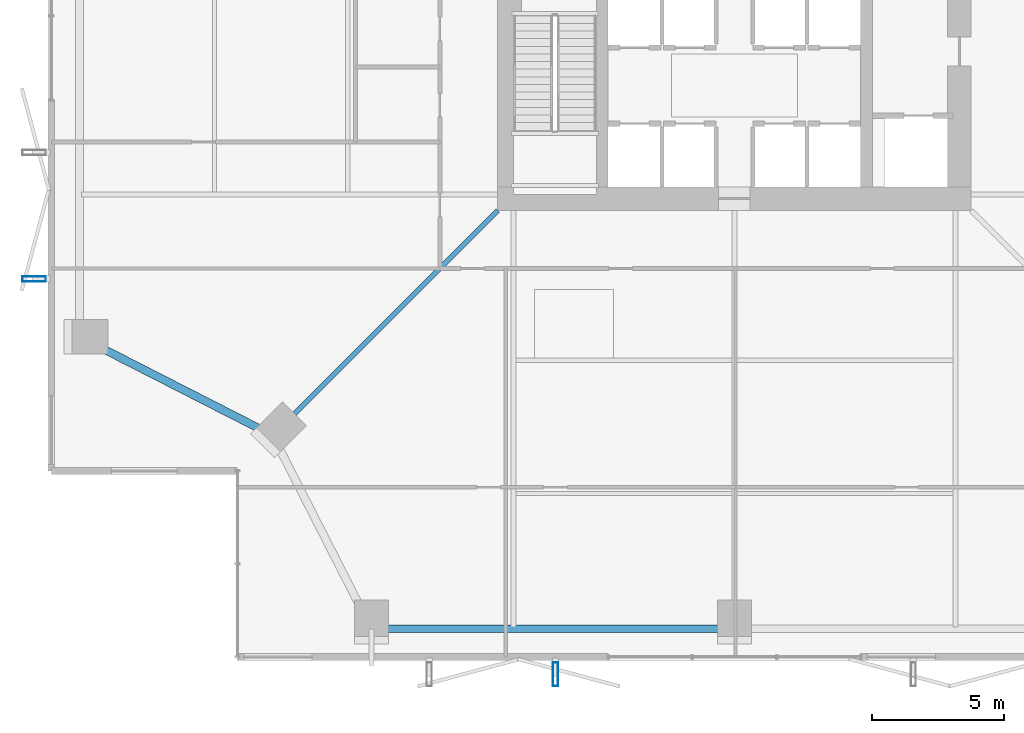
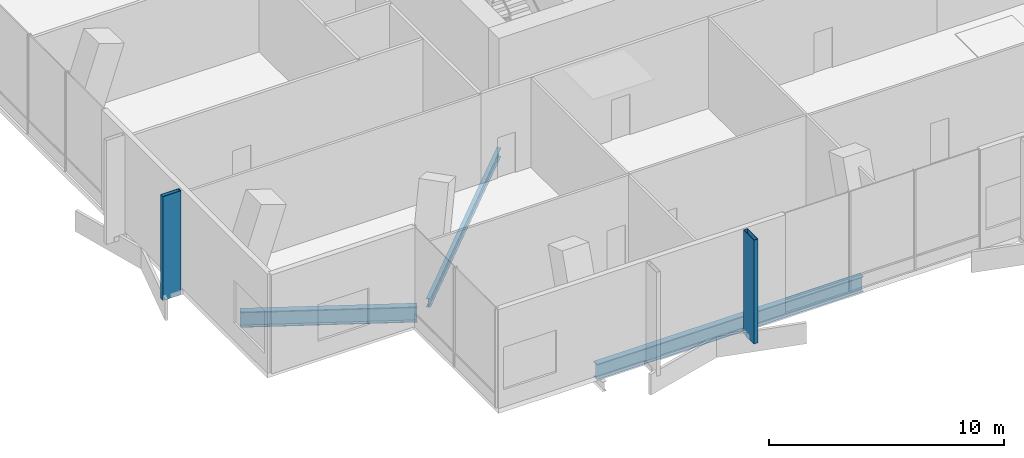
# One storey, part 3 of 28: 3 beams, 2 members.
"""IFC4 building model written with IfcOpenShell, lengths in metres."""

from ifc_helpers import new_model, si_unit, direction, frame, origin, origin_2d, place, context, subcontext, project, spatial, hollow_rectangle, i_section, extrude, material, material_profile, profile_set, type_object, element, save


model = new_model("IFC4")

# Units and contexts
model_context = context("Model", 3, precision=1e-05, world=origin(), true_north=direction((0.0, 1.0)))
body_context = subcontext(model_context, "Body", "Model", "MODEL_VIEW")
ifc_project = project(units=[si_unit("LENGTHUNIT", "METRE"), si_unit("AREAUNIT", "SQUARE_METRE"), si_unit("VOLUMEUNIT", "CUBIC_METRE"), si_unit("PLANEANGLEUNIT", "RADIAN"), si_unit("MASSUNIT", "GRAM", prefix="KILO")], contexts=[model_context])

# Site, building, storey
site_placement = place(None, origin())
site = spatial("IfcSite", under=ifc_project, at=site_placement, CompositionType="ELEMENT")
building_placement = place(site_placement, origin())
building = spatial("IfcBuilding", under=site, at=building_placement, Name="Belovzor Exchange Tower", CompositionType="ELEMENT")
storey_placement = place(building_placement, frame((0.0, 0.0, 132.89990234375)))
storey = spatial("IfcBuildingStorey", under=building, at=storey_placement, Name="L32", CompositionType="ELEMENT", Elevation=132.89990234375)

# Beams
ifc_material_1 = material(Name="Steel S355", Category="steel")
ifc_material_profile_1 = material_profile(ifc_material_1, i_section(OverallWidth=0.300048828125, OverallDepth=0.800048828125, WebThickness=0.017578125, FlangeThickness=0.032958984375, at=origin_2d()))
ifc_profile_set_1 = profile_set([ifc_material_profile_1], Name="Steel S355")
beam_type_1 = type_object("IfcBeamType", Name="Sky-Lobby Primary Girder HEB 800", PredefinedType="BEAM", material=ifc_profile_set_1)
beam_1_placement = place(storey_placement, frame((15.35693359375, 3.89990234375, -0.64990234375), z_axis=(1.0, 0.0, 0.0), x_axis=(0.0, 1.0, 0.0)))
element("IfcBeam", 1, at=beam_1_placement, inside=storey, type_object=beam_type_1, Name="SG-1 Sky-Lobby Primary Girder HEB 800", PredefinedType="BEAM", context=body_context, shape_type="SweptSolid", body=[
    extrude(i_section(OverallWidth=0.300048828125, OverallDepth=0.800048828125, WebThickness=0.017578125, FlangeThickness=0.032958984375, at=origin_2d()), origin(), (0.0, 0.0, 1.0), 13.0849609375),
])
beam_2_placement = place(storey_placement, frame((4.218017578125, 14.837890625, -0.64990234375), z_axis=(0.890743671984, -0.454506007464, 0.0), x_axis=(0.454506007464, 0.890743671984, 0.0)))
element("IfcBeam", 2, at=beam_2_placement, inside=storey, type_object=beam_type_1, Name="SG-1 Sky-Lobby Primary Girder HEB 800", PredefinedType="BEAM", context=body_context, shape_type="SweptSolid", body=[
    extrude(i_section(OverallWidth=0.300048828125, OverallDepth=0.800048828125, WebThickness=0.017578125, FlangeThickness=0.032958984375, at=origin_2d()), origin(), (0.0, 0.0, 1.0), 7.537353515625),
])

# Members
ifc_material_2 = material(Name="Extruded Architectural Terracotta on Steel S355 Carrier", Category="masonry")
ifc_material_profile_2 = material_profile(ifc_material_2, hollow_rectangle(XDim=0.199951171875, YDim=0.89990234375, WallThickness=0.011962890625, at=origin_2d()))
ifc_profile_set_2 = profile_set([ifc_material_profile_2], Name="Extruded Architectural Terracotta on Steel S355 Carrier")
member_type = type_object("IfcMemberType", Name="Sweeping Terracotta Baguette Fin Assembly 1250", PredefinedType="USERDEFINED", material=ifc_profile_set_2)
for number, where, z_axis, x_axis, name in (
    (3, (2.175048828125, 17.199951171875, -0.25), (0.0, 0.0, 1.0), (0.0, 1.0, 0.0), "FIN-TC125 Terracotta Facade Fin L32 W1"),
    (4, (22.0, 2.175048828125, -0.25), (0.0, 0.0, 1.0), (1.0, 0.0, 0.0), "FIN-TC125 Terracotta Facade Fin L32 S2"),
):
    element("IfcMember", number, at=place(storey_placement, frame(where, z_axis=z_axis, x_axis=x_axis)), inside=storey, type_object=member_type, Name=name, ObjectType="FIN", PredefinedType="USERDEFINED", context=body_context, shape_type="SweptSolid", body=[
        extrude(hollow_rectangle(XDim=0.199951171875, YDim=0.89990234375, WallThickness=0.011962890625, at=origin_2d()), origin(), (0.0, 0.0, 1.0), 5.39501953125),
    ])

# Beam
ifc_material_3 = material(Name="Steel S355", Category="steel")
ifc_material_profile_3 = material_profile(ifc_material_3, i_section(OverallWidth=0.18994140625, OverallDepth=0.449951171875, WebThickness=0.009521484375, FlangeThickness=0.0146484375, at=origin_2d()))
ifc_profile_set_3 = profile_set([ifc_material_profile_3], Name="Steel S355")
beam_type_2 = type_object("IfcBeamType", Name="Zone 2-4 Radial Composite Floor Beam IPE 450", PredefinedType="BEAM", material=ifc_profile_set_3)
beam_3_placement = place(storey_placement, frame((19.800048828125, 19.800048828125, -0.474853515625), z_axis=(-0.707106781187, -0.707106781187, 0.0), x_axis=(0.707106781187, -0.707106781187, 0.0)))
element("IfcBeam", 5, at=beam_3_placement, inside=storey, type_object=beam_type_2, Name="FB-450 Zone 2-4 Radial Composite Floor Beam IPE 450", PredefinedType="BEAM", context=body_context, shape_type="SweptSolid", body=[
    extrude(i_section(OverallWidth=0.18994140625, OverallDepth=0.449951171875, WebThickness=0.009521484375, FlangeThickness=0.0146484375, at=origin_2d()), origin(), (0.0, 0.0, 1.0), 11.632080078125),
])

save(model, "model.ifc")
